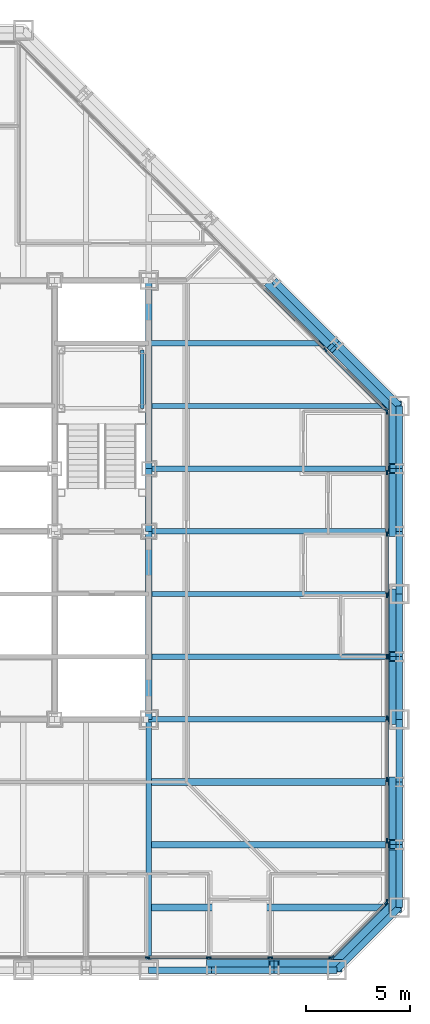
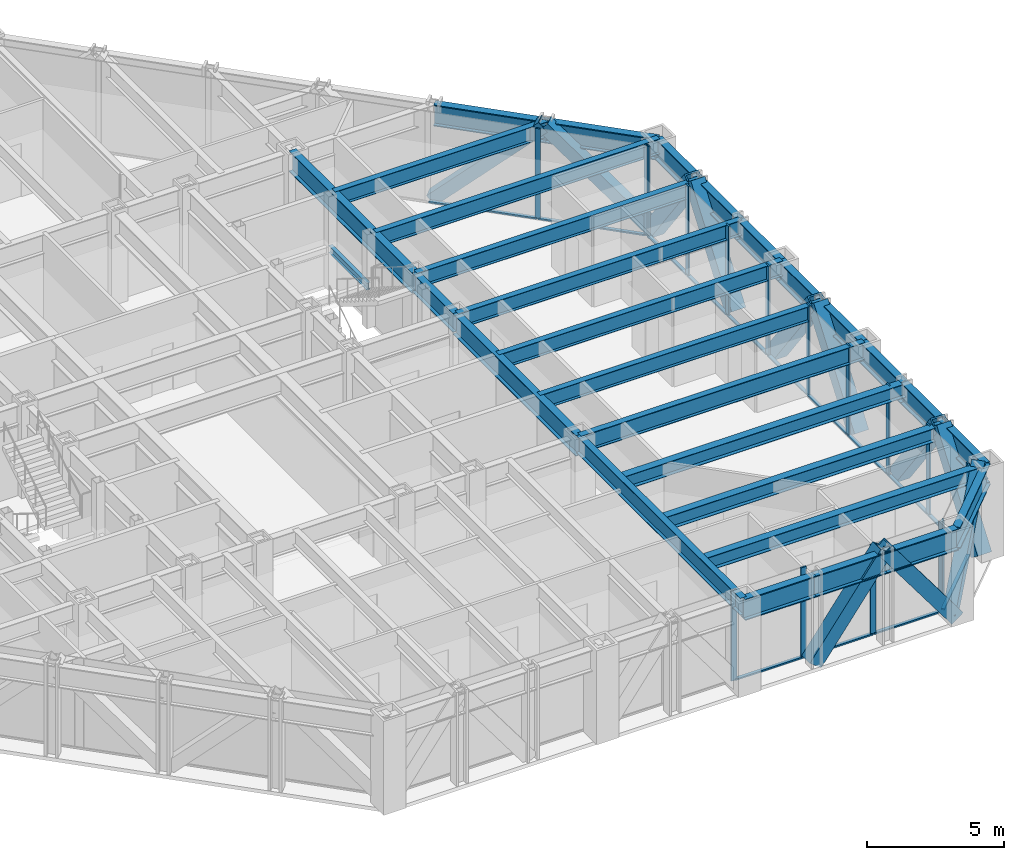
# One storey, part 6 of 17: 42 members, 29 beams, 4 elements without a shape of their own.
"""IFC4 building model written with IfcOpenShell, lengths in metres."""

from ifc_helpers import new_model, si_unit, direction, frame, origin, origin_2d, place, context, subcontext, project, spatial, rectangle, hollow_rectangle, i_section, extrude, material, layer, layer_set, material_profile, profile_set, type_object, element, aggregate, save


model = new_model("IFC4")

# Units and contexts
model_context = context("Model", 3, precision=1e-05, world=origin(), true_north=direction((0.0, 1.0)))
body_context = subcontext(model_context, "Body", "Model", "MODEL_VIEW")
ifc_project = project(units=[si_unit("LENGTHUNIT", "METRE"), si_unit("AREAUNIT", "SQUARE_METRE"), si_unit("VOLUMEUNIT", "CUBIC_METRE"), si_unit("PLANEANGLEUNIT", "RADIAN"), si_unit("MASSUNIT", "GRAM", prefix="KILO")], contexts=[model_context])

# Site, building, storey
site_placement = place(None, origin())
site = spatial("IfcSite", under=ifc_project, at=site_placement, CompositionType="ELEMENT")
building_placement = place(site_placement, origin())
building = spatial("IfcBuilding", under=site, at=building_placement, Name="Chuquiago Exchange Tower", CompositionType="ELEMENT")
storey_placement = place(building_placement, frame((0.0, 0.0, 132.0)))
storey = spatial("IfcBuildingStorey", under=building, at=storey_placement, Name="L28", CompositionType="ELEMENT", Elevation=132.0)

# Beams
ifc_material_1 = material(Name="Steel ASTM A992", Category="steel")
ifc_material_profile_1 = material_profile(ifc_material_1, i_section(OverallWidth=0.25390625, OverallDepth=0.683349609375, WebThickness=0.012451171875, FlangeThickness=0.018798828125, at=origin_2d()), Name="W27X94")
ifc_profile_set_1 = profile_set([ifc_material_profile_1], Name="Steel ASTM A992")
beam_type_1 = type_object("IfcBeamType", Name="B1 W27X94", PredefinedType="BEAM", material=ifc_profile_set_1)
for number, where, z_axis, x_axis, name in (
    (1, (33.0, 15.0, 3.698486328125), (1.0, 0.0, 0.0), (0.0, 1.0, 0.0), "FB-L29-infill-33_15-45_15-0"),
    (2, (33.0, 18.0, 3.698486328125), (1.0, 0.0, 0.0), (0.0, 1.0, 0.0), "FB-L29-infill-33_18-45_18-0"),
    (3, (33.0, 21.0, 3.698486328125), (1.0, 0.0, 0.0), (0.0, 1.0, 0.0), "FB-L29-infill-33_21-45_21-0"),
    (4, (33.0, 24.0, 3.698486328125), (1.0, 0.0, 0.0), (0.0, 1.0, 0.0), "FB-L29-infill-33_24-45_24-0"),
    (5, (33.0, 27.0, 3.698486328125), (1.0, 0.0, 0.0), (0.0, 1.0, 0.0), "FB-L29-infill-33_27-45_27-0"),
):
    element("IfcBeam", number, at=place(storey_placement, frame(where, z_axis=z_axis, x_axis=x_axis)), inside=storey, type_object=beam_type_1, Name=name, PredefinedType="BEAM", context=body_context, shape_type="SweptSolid", body=[
        extrude(i_section(OverallWidth=0.25390625, OverallDepth=0.683349609375, WebThickness=0.012451171875, FlangeThickness=0.018798828125, at=origin_2d()), origin(), (0.0, 0.0, 1.0), 12.0),
    ])
beam_1_placement = place(storey_placement, frame((33.0, 30.0, 3.698486328125), z_axis=(1.0, 0.0, 0.0), x_axis=(0.0, 1.0, 0.0)))
element("IfcBeam", 6, at=beam_1_placement, inside=storey, type_object=beam_type_1, Name="FB-L29-infill-33_30-42_30-0", PredefinedType="BEAM", context=body_context, shape_type="SweptSolid", body=[
    extrude(i_section(OverallWidth=0.25390625, OverallDepth=0.683349609375, WebThickness=0.012451171875, FlangeThickness=0.018798828125, at=origin_2d()), origin(), (0.0, 0.0, 1.0), 9.0),
])
ifc_material_2 = material(Name="Steel ASTM A992", Category="steel")
ifc_material_profile_2 = material_profile(ifc_material_2, i_section(OverallWidth=0.307373046875, OverallDepth=0.927001953125, WebThickness=0.01953125, FlangeThickness=0.031982421875, at=origin_2d()), Name="W36X194")
ifc_profile_set_2 = profile_set([ifc_material_profile_2], Name="Steel ASTM A992")
beam_type_2 = type_object("IfcBeamType", Name="B10 W36X194", PredefinedType="BEAM", material=ifc_profile_set_2)
for number, where, z_axis, x_axis, name in (
    (7, (33.0, 12.0, 3.576416015625), (0.0, 1.0, 0.0), (-1.0, 0.0, 0.0), "CB-L29-33_12-33_21"),
    (8, (33.0, 24.0, 3.576416015625), (0.0, 1.0, 0.0), (-1.0, 0.0, 0.0), "CB-L29-33_24-33_33"),
):
    element("IfcBeam", number, at=place(storey_placement, frame(where, z_axis=z_axis, x_axis=x_axis)), inside=storey, type_object=beam_type_2, Name=name, PredefinedType="BEAM", context=body_context, shape_type="SweptSolid", body=[
        extrude(i_section(OverallWidth=0.307373046875, OverallDepth=0.927001953125, WebThickness=0.01953125, FlangeThickness=0.031982421875, at=origin_2d()), origin(), (0.0, 0.0, 1.0), 9.0),
    ])
ifc_material_3 = material(Name="Steel ASTM A992", Category="steel")
ifc_material_profile_3 = material_profile(ifc_material_3, i_section(OverallWidth=0.3251953125, OverallDepth=0.612060546875, WebThickness=0.0126953125, FlangeThickness=0.01904296875, at=origin_2d()), Name="W24X104")
ifc_profile_set_3 = profile_set([ifc_material_profile_3], Name="Steel ASTM A992")
beam_type_3 = type_object("IfcBeamType", Name="B2 W24X104", PredefinedType="BEAM", material=ifc_profile_set_3)
for number, where, z_axis, x_axis, name in (
    (9, (33.0, 3.0, 3.73388671875), (1.0, 0.0, 0.0), (0.0, 1.0, 0.0), "FB-L29-corner-33_3-45_3-0"),
    (10, (33.0, 6.0, 3.73388671875), (1.0, 0.0, 0.0), (0.0, 1.0, 0.0), "FB-L29-corner-33_6-45_6-0"),
    (11, (33.0, 9.0, 3.73388671875), (1.0, 0.0, 0.0), (0.0, 1.0, 0.0), "FB-L29-corner-33_9-45_9-0"),
):
    element("IfcBeam", number, at=place(storey_placement, frame(where, z_axis=z_axis, x_axis=x_axis)), inside=storey, type_object=beam_type_3, Name=name, PredefinedType="BEAM", context=body_context, shape_type="SweptSolid", body=[
        extrude(i_section(OverallWidth=0.3251953125, OverallDepth=0.612060546875, WebThickness=0.0126953125, FlangeThickness=0.01904296875, at=origin_2d()), origin(), (0.0, 0.0, 1.0), 12.0),
    ])
ifc_material_4 = material(Name="Steel ASTM A992", Category="steel")
ifc_material_profile_4 = material_profile(ifc_material_4, i_section(OverallWidth=0.2919921875, OverallDepth=0.8583984375, WebThickness=0.01708984375, FlangeThickness=0.031005859375, at=origin_2d()), Name="W33X169")
ifc_profile_set_4 = profile_set([ifc_material_profile_4], Name="Steel ASTM A992")
beam_type_4 = type_object("IfcBeamType", Name="B3 W33X169", PredefinedType="BEAM", material=ifc_profile_set_4)
beam_2_placement = place(storey_placement, frame((33.0, 21.0, 3.610595703125), z_axis=(0.0, 1.0, 0.0), x_axis=(-1.0, 0.0, 0.0)))
element("IfcBeam", 12, at=beam_2_placement, inside=storey, type_object=beam_type_4, Name="CB-L29-33_21-33_24", PredefinedType="BEAM", context=body_context, shape_type="SweptSolid", body=[
    extrude(i_section(OverallWidth=0.2919921875, OverallDepth=0.8583984375, WebThickness=0.01708984375, FlangeThickness=0.031005859375, at=origin_2d()), origin(), (0.0, 0.0, 1.0), 3.0),
])

# Curtain wall, members
ifc_material_5 = material(Name="Aluminium curtain wall system", Category="aluminium")
ifc_layer_1 = layer(ifc_material_5, 0.22509765625)
ifc_layer_set_1 = layer_set([ifc_layer_1], Name="CW2 office curtain wall")
curtain_wall_type_1 = type_object("IfcCurtainWallType", Name="CW2 office curtain wall", PredefinedType="NOTDEFINED", material=ifc_layer_set_1)
curtain_wall_1_placement = place(storey_placement, origin())
curtain_wall_1 = element("IfcCurtainWall", 13, at=curtain_wall_1_placement, inside=storey, type_object=curtain_wall_type_1, Name="CW2 curtain wall L28", PredefinedType="NOTDEFINED")
ifc_material_6 = material(Name="Aluminium mullion, pale anodised", Category="aluminium")
ifc_material_profile_5 = material_profile(ifc_material_6, rectangle(XDim=0.06494140625, YDim=0.22509765625, at=origin_2d()), Name="AL 65x225")
ifc_profile_set_5 = profile_set([ifc_material_profile_5], Name="Aluminium mullion, pale anodised")
member_type_1 = type_object("IfcMemberType", Name="CW2-M mullion 65x225", PredefinedType="MULLION", material=ifc_profile_set_5)
member_1_placement = place(storey_placement, frame((32.93798828125, 0.60009765625, 0.0), z_axis=(0.0, 0.0, 1.0), x_axis=(0.0, 1.0, 0.0)))
member_1 = element("IfcMember", 14, at=member_1_placement, type_object=member_type_1, Name="CW2 mullion 6", PredefinedType="MULLION", context=body_context, shape_type="SweptSolid", body=[
    extrude(rectangle(XDim=0.06494140625, YDim=0.22509765625, at=origin_2d()), origin(), (0.0, 0.0, 1.0), 4.0400390625),
])
member_2_placement = place(storey_placement, frame((35.875732421875, 0.60009765625, 0.0), z_axis=(0.0, 0.0, 1.0), x_axis=(0.0, 1.0, 0.0)))
member_2 = element("IfcMember", 15, at=member_2_placement, type_object=member_type_1, Name="CW2 mullion 7", PredefinedType="MULLION", context=body_context, shape_type="SweptSolid", body=[
    extrude(rectangle(XDim=0.06494140625, YDim=0.22509765625, at=origin_2d()), origin(), (0.0, 0.0, 1.0), 4.0400390625),
])
member_3_placement = place(storey_placement, frame((38.813720703125, 0.60009765625, 0.0), z_axis=(0.0, 0.0, 1.0), x_axis=(0.0, 1.0, 0.0)))
member_3 = element("IfcMember", 16, at=member_3_placement, type_object=member_type_1, Name="CW2 mullion 8", PredefinedType="MULLION", context=body_context, shape_type="SweptSolid", body=[
    extrude(rectangle(XDim=0.06494140625, YDim=0.22509765625, at=origin_2d()), origin(), (0.0, 0.0, 1.0), 4.0400390625),
])
member_4_placement = place(storey_placement, frame((41.718994140625, 0.60009765625, 0.0), z_axis=(0.0, 0.0, 1.0), x_axis=(0.0, 1.0, 0.0)))
member_4 = element("IfcMember", 17, at=member_4_placement, type_object=member_type_1, Name="CW2 mullion 9", PredefinedType="MULLION", context=body_context, shape_type="SweptSolid", body=[
    extrude(rectangle(XDim=0.06494140625, YDim=0.22509765625, at=origin_2d()), origin(), (0.0, 0.0, 1.0), 4.0400390625),
])

curtain_wall_2_placement = place(storey_placement, origin())
curtain_wall_2 = element("IfcCurtainWall", 18, at=curtain_wall_2_placement, inside=storey, type_object=curtain_wall_type_1, Name="CW2 curtain wall L28", PredefinedType="NOTDEFINED")
member_5_placement = place(storey_placement, frame((44.39990234375, 3.281005859375, 0.0), z_axis=(0.0, 0.0, 1.0), x_axis=(-1.0, 0.0, 0.0)))
member_5 = element("IfcMember", 19, at=member_5_placement, type_object=member_type_1, Name="CW2 mullion 1", PredefinedType="MULLION", context=body_context, shape_type="SweptSolid", body=[
    extrude(rectangle(XDim=0.06494140625, YDim=0.22509765625, at=origin_2d()), origin(), (0.0, 0.0, 1.0), 4.0400390625),
])
member_6_placement = place(storey_placement, frame((44.39990234375, 6.186279296875, 0.0), z_axis=(0.0, 0.0, 1.0), x_axis=(-1.0, 0.0, 0.0)))
member_6 = element("IfcMember", 20, at=member_6_placement, type_object=member_type_1, Name="CW2 mullion 2", PredefinedType="MULLION", context=body_context, shape_type="SweptSolid", body=[
    extrude(rectangle(XDim=0.06494140625, YDim=0.22509765625, at=origin_2d()), origin(), (0.0, 0.0, 1.0), 4.0400390625),
])
member_7_placement = place(storey_placement, frame((44.39990234375, 9.124267578125, 0.0), z_axis=(0.0, 0.0, 1.0), x_axis=(-1.0, 0.0, 0.0)))
member_7 = element("IfcMember", 21, at=member_7_placement, type_object=member_type_1, Name="CW2 mullion 3", PredefinedType="MULLION", context=body_context, shape_type="SweptSolid", body=[
    extrude(rectangle(XDim=0.06494140625, YDim=0.22509765625, at=origin_2d()), origin(), (0.0, 0.0, 1.0), 4.0400390625),
])
member_8_placement = place(storey_placement, frame((44.39990234375, 12.06201171875, 0.0), z_axis=(0.0, 0.0, 1.0), x_axis=(-1.0, 0.0, 0.0)))
member_8 = element("IfcMember", 22, at=member_8_placement, type_object=member_type_1, Name="CW2 mullion 4", PredefinedType="MULLION", context=body_context, shape_type="SweptSolid", body=[
    extrude(rectangle(XDim=0.06494140625, YDim=0.22509765625, at=origin_2d()), origin(), (0.0, 0.0, 1.0), 4.0400390625),
])
member_9_placement = place(storey_placement, frame((44.39990234375, 15.0, 0.0), z_axis=(0.0, 0.0, 1.0), x_axis=(-1.0, 0.0, 0.0)))
member_9 = element("IfcMember", 23, at=member_9_placement, type_object=member_type_1, Name="CW2 mullion 5", PredefinedType="MULLION", context=body_context, shape_type="SweptSolid", body=[
    extrude(rectangle(XDim=0.06494140625, YDim=0.22509765625, at=origin_2d()), origin(), (0.0, 0.0, 1.0), 4.0400390625),
])
member_10_placement = place(storey_placement, frame((44.39990234375, 17.93798828125, 0.0), z_axis=(0.0, 0.0, 1.0), x_axis=(-1.0, 0.0, 0.0)))
member_10 = element("IfcMember", 24, at=member_10_placement, type_object=member_type_1, Name="CW2 mullion 6", PredefinedType="MULLION", context=body_context, shape_type="SweptSolid", body=[
    extrude(rectangle(XDim=0.06494140625, YDim=0.22509765625, at=origin_2d()), origin(), (0.0, 0.0, 1.0), 4.0400390625),
])
member_11_placement = place(storey_placement, frame((44.39990234375, 20.875732421875, 0.0), z_axis=(0.0, 0.0, 1.0), x_axis=(-1.0, 0.0, 0.0)))
member_11 = element("IfcMember", 25, at=member_11_placement, type_object=member_type_1, Name="CW2 mullion 7", PredefinedType="MULLION", context=body_context, shape_type="SweptSolid", body=[
    extrude(rectangle(XDim=0.06494140625, YDim=0.22509765625, at=origin_2d()), origin(), (0.0, 0.0, 1.0), 4.0400390625),
])
member_12_placement = place(storey_placement, frame((44.39990234375, 23.813720703125, 0.0), z_axis=(0.0, 0.0, 1.0), x_axis=(-1.0, 0.0, 0.0)))
member_12 = element("IfcMember", 26, at=member_12_placement, type_object=member_type_1, Name="CW2 mullion 8", PredefinedType="MULLION", context=body_context, shape_type="SweptSolid", body=[
    extrude(rectangle(XDim=0.06494140625, YDim=0.22509765625, at=origin_2d()), origin(), (0.0, 0.0, 1.0), 4.0400390625),
])
member_13_placement = place(storey_placement, frame((44.39990234375, 26.718994140625, 0.0), z_axis=(0.0, 0.0, 1.0), x_axis=(-1.0, 0.0, 0.0)))
member_13 = element("IfcMember", 27, at=member_13_placement, type_object=member_type_1, Name="CW2 mullion 9", PredefinedType="MULLION", context=body_context, shape_type="SweptSolid", body=[
    extrude(rectangle(XDim=0.06494140625, YDim=0.22509765625, at=origin_2d()), origin(), (0.0, 0.0, 1.0), 4.0400390625),
])

# Member
ifc_material_7 = material(Name="Aluminium transom, pale anodised", Category="aluminium")
ifc_material_profile_6 = material_profile(ifc_material_7, rectangle(XDim=0.139892578125, YDim=0.06494140625, at=origin_2d()), Name="AL 140x65")
ifc_profile_set_6 = profile_set([ifc_material_profile_6], Name="Aluminium transom, pale anodised")
member_type_2 = type_object("IfcMemberType", Name="CW2-T transom 65x140", PredefinedType="MULLION", material=ifc_profile_set_6)
member_14_placement = place(storey_placement, frame((32.970458984375, 0.60009765625, 0.032470703125), z_axis=(1.0, 0.0, 0.0), x_axis=(0.0, 1.0, 0.0)))
member_14 = element("IfcMember", 28, at=member_14_placement, type_object=member_type_2, Name="CW2 transom 6.1", PredefinedType="MULLION", context=body_context, shape_type="SweptSolid", body=[
    extrude(rectangle(XDim=0.139892578125, YDim=0.06494140625, at=origin_2d()), origin(), (0.0, 0.0, 1.0), 2.872802734375),
])

member_15_placement = place(storey_placement, frame((35.908203125, 0.60009765625, 0.032470703125), z_axis=(1.0, 0.0, 0.0), x_axis=(0.0, 1.0, 0.0)))
member_15 = element("IfcMember", 29, at=member_15_placement, type_object=member_type_2, Name="CW2 transom 7.1", PredefinedType="MULLION", context=body_context, shape_type="SweptSolid", body=[
    extrude(rectangle(XDim=0.139892578125, YDim=0.06494140625, at=origin_2d()), origin(), (0.0, 0.0, 1.0), 2.872802734375),
])

member_16_placement = place(storey_placement, frame((38.84619140625, 0.60009765625, 0.032470703125), z_axis=(1.0, 0.0, 0.0), x_axis=(0.0, 1.0, 0.0)))
member_16 = element("IfcMember", 30, at=member_16_placement, type_object=member_type_2, Name="CW2 transom 8.1", PredefinedType="MULLION", context=body_context, shape_type="SweptSolid", body=[
    extrude(rectangle(XDim=0.139892578125, YDim=0.06494140625, at=origin_2d()), origin(), (0.0, 0.0, 1.0), 2.84033203125),
])

aggregate(curtain_wall_1, [member_1, member_2, member_3, member_4, member_14, member_15, member_16])

member_17_placement = place(storey_placement, frame((44.39990234375, 3.3134765625, 0.032470703125), z_axis=(0.0, 1.0, 0.0), x_axis=(-1.0, 0.0, 0.0)))
member_17 = element("IfcMember", 31, at=member_17_placement, type_object=member_type_2, Name="CW2 transom 1.1", PredefinedType="MULLION", context=body_context, shape_type="SweptSolid", body=[
    extrude(rectangle(XDim=0.139892578125, YDim=0.06494140625, at=origin_2d()), origin(), (0.0, 0.0, 1.0), 2.84033203125),
])

member_18_placement = place(storey_placement, frame((44.39990234375, 6.218994140625, 0.032470703125), z_axis=(0.0, 1.0, 0.0), x_axis=(-1.0, 0.0, 0.0)))
member_18 = element("IfcMember", 32, at=member_18_placement, type_object=member_type_2, Name="CW2 transom 2.1", PredefinedType="MULLION", context=body_context, shape_type="SweptSolid", body=[
    extrude(rectangle(XDim=0.139892578125, YDim=0.06494140625, at=origin_2d()), origin(), (0.0, 0.0, 1.0), 2.872802734375),
])

member_19_placement = place(storey_placement, frame((44.39990234375, 9.15673828125, 0.032470703125), z_axis=(0.0, 1.0, 0.0), x_axis=(-1.0, 0.0, 0.0)))
member_19 = element("IfcMember", 33, at=member_19_placement, type_object=member_type_2, Name="CW2 transom 3.1", PredefinedType="MULLION", context=body_context, shape_type="SweptSolid", body=[
    extrude(rectangle(XDim=0.139892578125, YDim=0.06494140625, at=origin_2d()), origin(), (0.0, 0.0, 1.0), 2.872802734375),
])

member_20_placement = place(storey_placement, frame((44.39990234375, 12.0947265625, 0.032470703125), z_axis=(0.0, 1.0, 0.0), x_axis=(-1.0, 0.0, 0.0)))
member_20 = element("IfcMember", 34, at=member_20_placement, type_object=member_type_2, Name="CW2 transom 4.1", PredefinedType="MULLION", context=body_context, shape_type="SweptSolid", body=[
    extrude(rectangle(XDim=0.139892578125, YDim=0.06494140625, at=origin_2d()), origin(), (0.0, 0.0, 1.0), 2.872802734375),
])

member_21_placement = place(storey_placement, frame((44.39990234375, 15.032470703125, 0.032470703125), z_axis=(0.0, 1.0, 0.0), x_axis=(-1.0, 0.0, 0.0)))
member_21 = element("IfcMember", 35, at=member_21_placement, type_object=member_type_2, Name="CW2 transom 5.1", PredefinedType="MULLION", context=body_context, shape_type="SweptSolid", body=[
    extrude(rectangle(XDim=0.139892578125, YDim=0.06494140625, at=origin_2d()), origin(), (0.0, 0.0, 1.0), 2.872802734375),
])

member_22_placement = place(storey_placement, frame((44.39990234375, 17.970458984375, 0.032470703125), z_axis=(0.0, 1.0, 0.0), x_axis=(-1.0, 0.0, 0.0)))
member_22 = element("IfcMember", 36, at=member_22_placement, type_object=member_type_2, Name="CW2 transom 6.1", PredefinedType="MULLION", context=body_context, shape_type="SweptSolid", body=[
    extrude(rectangle(XDim=0.139892578125, YDim=0.06494140625, at=origin_2d()), origin(), (0.0, 0.0, 1.0), 2.872802734375),
])

member_23_placement = place(storey_placement, frame((44.39990234375, 20.908203125, 0.032470703125), z_axis=(0.0, 1.0, 0.0), x_axis=(-1.0, 0.0, 0.0)))
member_23 = element("IfcMember", 37, at=member_23_placement, type_object=member_type_2, Name="CW2 transom 7.1", PredefinedType="MULLION", context=body_context, shape_type="SweptSolid", body=[
    extrude(rectangle(XDim=0.139892578125, YDim=0.06494140625, at=origin_2d()), origin(), (0.0, 0.0, 1.0), 2.872802734375),
])

member_24_placement = place(storey_placement, frame((44.39990234375, 23.84619140625, 0.032470703125), z_axis=(0.0, 1.0, 0.0), x_axis=(-1.0, 0.0, 0.0)))
member_24 = element("IfcMember", 38, at=member_24_placement, type_object=member_type_2, Name="CW2 transom 8.1", PredefinedType="MULLION", context=body_context, shape_type="SweptSolid", body=[
    extrude(rectangle(XDim=0.139892578125, YDim=0.06494140625, at=origin_2d()), origin(), (0.0, 0.0, 1.0), 2.84033203125),
])

aggregate(curtain_wall_2, [member_5, member_6, member_7, member_8, member_9, member_10, member_11, member_12, member_13, member_17, member_18, member_19, member_20, member_21, member_22, member_23, member_24])

# Curtain wall, members
ifc_material_8 = material(Name="Aluminium curtain wall system", Category="aluminium")
ifc_layer_2 = layer(ifc_material_8, 0.199951171875)
ifc_layer_set_2 = layer_set([ifc_layer_2], Name="CW3 facet curtain wall")
curtain_wall_type_2 = type_object("IfcCurtainWallType", Name="CW3 facet curtain wall", PredefinedType="NOTDEFINED", material=ifc_layer_set_2)
curtain_wall_3_placement = place(storey_placement, origin())
curtain_wall_3 = element("IfcCurtainWall", 39, at=curtain_wall_3_placement, inside=storey, type_object=curtain_wall_type_2, Name="CW3 curtain wall L28", PredefinedType="NOTDEFINED")
ifc_material_9 = material(Name="Aluminium mullion, pale anodised", Category="aluminium")
ifc_material_profile_7 = material_profile(ifc_material_9, rectangle(XDim=0.06494140625, YDim=0.199951171875, at=origin_2d()), Name="AL 65x200")
ifc_profile_set_7 = profile_set([ifc_material_profile_7], Name="Aluminium mullion, pale anodised")
member_type_3 = type_object("IfcMemberType", Name="CW3-M mullion 65x200", PredefinedType="MULLION", material=ifc_profile_set_7)
member_25_placement = place(storey_placement, frame((41.7744140625, 0.623046875, 0.0), z_axis=(0.0, 0.0, 1.0), x_axis=(-0.707106781187, 0.707106781187, 0.0)))
member_25 = element("IfcMember", 40, at=member_25_placement, type_object=member_type_3, Name="CW3 mullion 1", PredefinedType="MULLION", context=body_context, shape_type="SweptSolid", body=[
    extrude(rectangle(XDim=0.06494140625, YDim=0.199951171875, at=origin_2d()), origin(), (0.0, 0.0, 1.0), 4.0400390625),
])
member_26_placement = place(storey_placement, frame((44.376953125, 3.2255859375, 0.0), z_axis=(0.0, 0.0, 1.0), x_axis=(-0.707106781187, 0.707106781187, 0.0)))
member_26 = element("IfcMember", 41, at=member_26_placement, type_object=member_type_3, Name="CW3 mullion 2", PredefinedType="MULLION", context=body_context, shape_type="SweptSolid", body=[
    extrude(rectangle(XDim=0.06494140625, YDim=0.199951171875, at=origin_2d()), origin(), (0.0, 0.0, 1.0), 4.0400390625),
])

curtain_wall_4_placement = place(storey_placement, origin())
curtain_wall_4 = element("IfcCurtainWall", 42, at=curtain_wall_4_placement, inside=storey, type_object=curtain_wall_type_2, Name="CW3 curtain wall L28", PredefinedType="NOTDEFINED")
member_27_placement = place(storey_placement, frame((44.376953125, 26.7744140625, 0.0), z_axis=(0.0, 0.0, 1.0), x_axis=(-0.707106781187, -0.707106781187, 0.0)))
member_27 = element("IfcMember", 43, at=member_27_placement, type_object=member_type_3, Name="CW3 mullion 1", PredefinedType="MULLION", context=body_context, shape_type="SweptSolid", body=[
    extrude(rectangle(XDim=0.06494140625, YDim=0.199951171875, at=origin_2d()), origin(), (0.0, 0.0, 1.0), 4.0400390625),
])
member_28_placement = place(storey_placement, frame((41.45849609375, 29.69287109375, 0.0), z_axis=(0.0, 0.0, 1.0), x_axis=(-0.707106781187, -0.707106781187, 0.0)))
member_28 = element("IfcMember", 44, at=member_28_placement, type_object=member_type_3, Name="CW3 mullion 2", PredefinedType="MULLION", context=body_context, shape_type="SweptSolid", body=[
    extrude(rectangle(XDim=0.06494140625, YDim=0.199951171875, at=origin_2d()), origin(), (0.0, 0.0, 1.0), 4.0400390625),
])

# Member
ifc_material_10 = material(Name="Aluminium transom, pale anodised", Category="aluminium")
ifc_material_profile_8 = material_profile(ifc_material_10, rectangle(XDim=0.139892578125, YDim=0.06494140625, at=origin_2d()), Name="AL 140x65")
ifc_profile_set_8 = profile_set([ifc_material_profile_8], Name="Aluminium transom, pale anodised")
member_type_4 = type_object("IfcMemberType", Name="CW3-T transom 65x140", PredefinedType="MULLION", material=ifc_profile_set_8)
member_29_placement = place(storey_placement, frame((41.79736328125, 0.64599609375, 0.032470703125), z_axis=(0.707106781187, 0.707106781187, 0.0), x_axis=(-0.707106781187, 0.707106781187, 0.0)))
member_29 = element("IfcMember", 45, at=member_29_placement, type_object=member_type_4, Name="CW3 transom 1.1", PredefinedType="MULLION", context=body_context, shape_type="SweptSolid", body=[
    extrude(rectangle(XDim=0.139892578125, YDim=0.06494140625, at=origin_2d()), origin(), (0.0, 0.0, 1.0), 3.61572265625),
])

aggregate(curtain_wall_3, [member_25, member_26, member_29])

member_30_placement = place(storey_placement, frame((44.35400390625, 26.79736328125, 0.032470703125), z_axis=(-0.707106781187, 0.707106781187, 0.0), x_axis=(-0.707106781187, -0.707106781187, 0.0)))
member_30 = element("IfcMember", 46, at=member_30_placement, type_object=member_type_4, Name="CW3 transom 1.1", PredefinedType="MULLION", context=body_context, shape_type="SweptSolid", body=[
    extrude(rectangle(XDim=0.139892578125, YDim=0.06494140625, at=origin_2d()), origin(), (0.0, 0.0, 1.0), 4.0625),
])

member_31_placement = place(storey_placement, frame((41.435546875, 29.7158203125, 0.032470703125), z_axis=(-0.707106781187, 0.707106781187, 0.0), x_axis=(-0.707106781187, -0.707106781187, 0.0)))
member_31 = element("IfcMember", 47, at=member_31_placement, type_object=member_type_4, Name="CW3 transom 2.1", PredefinedType="MULLION", context=body_context, shape_type="SweptSolid", body=[
    extrude(rectangle(XDim=0.139892578125, YDim=0.06494140625, at=origin_2d()), origin(), (0.0, 0.0, 1.0), 4.094970703125),
])

aggregate(curtain_wall_4, [member_27, member_28, member_30, member_31])

# Beams
ifc_material_11 = material(Name="Steel ASTM A992", Category="steel")
ifc_material_profile_9 = material_profile(ifc_material_11, i_section(OverallWidth=0.2666015625, OverallDepth=0.76953125, WebThickness=0.015625, FlangeThickness=0.025390625, at=origin_2d()), Name="W30X132")
ifc_profile_set_9 = profile_set([ifc_material_profile_9], Name="Steel ASTM A992")
beam_type_5 = type_object("IfcBeamType", Name="G1 W30X132", PredefinedType="BEAM", material=ifc_profile_set_9)
for number, where, z_axis, x_axis, name in (
    (48, (33.0, 12.0, 3.6552734375), (0.0, -1.0, 0.0), (1.0, 0.0, 0.0), "FB-L29-girder-33_12-33_-0-0"),
    (49, (33.0, 12.0, 3.6552734375), (1.0, 0.0, 0.0), (0.0, 1.0, 0.0), "FB-L29-girder-33_12-45_12-0"),
):
    element("IfcBeam", number, at=place(storey_placement, frame(where, z_axis=z_axis, x_axis=x_axis)), inside=storey, type_object=beam_type_5, Name=name, PredefinedType="BEAM", context=body_context, shape_type="SweptSolid", body=[
        extrude(i_section(OverallWidth=0.2666015625, OverallDepth=0.76953125, WebThickness=0.015625, FlangeThickness=0.025390625, at=origin_2d()), origin(), (0.0, 0.0, 1.0), 12.0),
    ])

# Members
ifc_material_12 = material(Name="Steel ASTM A500 Grade C", Category="steel")
ifc_material_profile_10 = material_profile(ifc_material_12, hollow_rectangle(XDim=0.508056640625, YDim=0.508056640625, WallThickness=0.017822265625, at=origin_2d()), Name="HSS20X20X3/4")
ifc_profile_set_10 = profile_set([ifc_material_profile_10], Name="Steel ASTM A500 Grade C")
member_type_5 = type_object("IfcMemberType", Name="LB1 HSS20X20X3/4", PredefinedType="BRACE", material=ifc_profile_set_10)
for number, where, z_axis, x_axis, name in (
    (50, (41.822509765625, 0.177490234375, 0.0), (0.512077265487, 0.512077265487, 0.689604051861), (-0.707106781187, 0.707106781187, 0.0), "LB-L28-42_0-45_3"),
    (51, (44.822509765625, 26.822509765625, 0.0), (-0.512077265487, 0.512077265487, 0.689604051861), (-0.707106781187, -0.707106781187, 0.0), "LB-L28-45_27-42_30"),
    (52, (38.822509765625, 32.822509765625, 0.0), (0.512077265487, -0.512077265487, 0.689604051861), (0.707106781187, 0.707106781187, 0.0), "LB-L28-42_30-39_33"),
):
    element("IfcMember", number, at=place(storey_placement, frame(where, z_axis=z_axis, x_axis=x_axis)), inside=storey, type_object=member_type_5, Name=name, PredefinedType="BRACE", context=body_context, shape_type="SweptSolid", body=[
        extrude(hollow_rectangle(XDim=0.508056640625, YDim=0.508056640625, WallThickness=0.017822265625, at=origin_2d()), origin(), (0.0, 0.0, 1.0), 5.8583984375),
    ])

# Beam
ifc_material_13 = material(Name="Steel ASTM A992", Category="steel")
ifc_material_profile_11 = material_profile(ifc_material_13, i_section(OverallWidth=0.164794921875, OverallDepth=0.309814453125, WebThickness=0.005859375, FlangeThickness=0.009765625, at=origin_2d()), Name="W12X26")
ifc_profile_set_11 = profile_set([ifc_material_profile_11], Name="Steel ASTM A992")
beam_type_6 = type_object("IfcBeamType", Name="LS1 W12X26", PredefinedType="BEAM", material=ifc_profile_set_11)
beam_3_placement = place(storey_placement, frame((32.68994140625, 26.889892578125, 1.7451171875), z_axis=(0.0, 1.0, 0.0), x_axis=(-1.0, 0.0, 0.0)))
element("IfcBeam", 53, at=beam_3_placement, inside=storey, type_object=beam_type_6, Name="Stair ST2 L28 landing 1 stringer", PredefinedType="BEAM", context=body_context, shape_type="SweptSolid", body=[
    extrude(i_section(OverallWidth=0.164794921875, OverallDepth=0.309814453125, WebThickness=0.005859375, FlangeThickness=0.009765625, at=origin_2d()), origin(), (0.0, 0.0, 1.0), 2.800048828125),
])

# Members
ifc_material_14 = material(Name="Steel ASTM A572 Grade 50", Category="steel")
ifc_material_profile_12 = material_profile(ifc_material_14, hollow_rectangle(XDim=0.60009765625, YDim=0.60009765625, WallThickness=0.06005859375, at=origin_2d()), Name="BOX600X600X60")
ifc_profile_set_12 = profile_set([ifc_material_profile_12], Name="Steel ASTM A572 Grade 50")
member_type_6 = type_object("IfcMemberType", Name="MB2 BOX600X600X60", PredefinedType="BRACE", material=ifc_profile_set_12)
for number, where, z_axis, x_axis, name in (
    (54, (36.0, 0.205078125, 0.0), (0.596173923302, 0.0, 0.802855312728), (0.0, 1.0, 0.0), "Mega diagonal L28 S face"),
    (55, (42.0, 0.205078125, 0.0), (-0.596173923302, 0.0, 0.802855312728), (0.0, -1.0, 0.0), "Mega diagonal L28 S face"),
    (56, (44.794921875, 3.0, 0.0), (0.0, 0.596173923302, 0.802855312728), (-1.0, 0.0, 0.0), "Mega diagonal L28 E face"),
    (57, (44.794921875, 9.0, 0.0), (0.0, -0.596173923302, 0.802855312728), (1.0, 0.0, 0.0), "Mega diagonal L28 E face"),
    (58, (44.794921875, 12.0, 0.0), (0.0, 0.596173923302, 0.802855312728), (-1.0, 0.0, 0.0), "Mega diagonal L28 E face"),
    (59, (44.794921875, 18.0, 0.0), (0.0, -0.596173923302, 0.802855312728), (1.0, 0.0, 0.0), "Mega diagonal L28 E face"),
    (60, (44.794921875, 21.0, 0.0), (0.0, 0.596173923302, 0.802855312728), (-1.0, 0.0, 0.0), "Mega diagonal L28 E face"),
    (61, (44.794921875, 27.0, 0.0), (0.0, -0.596173923302, 0.802855312728), (1.0, 0.0, 0.0), "Mega diagonal L28 E face"),
):
    element("IfcMember", number, at=place(storey_placement, frame(where, z_axis=z_axis, x_axis=x_axis)), inside=storey, type_object=member_type_6, Name=name, PredefinedType="BRACE", context=body_context, shape_type="SweptSolid", body=[
        extrude(hollow_rectangle(XDim=0.60009765625, YDim=0.60009765625, WallThickness=0.06005859375, at=origin_2d()), origin(), (0.0, 0.0, 1.0), 5.031982421875),
    ])

# Beams
ifc_material_15 = material(Name="Steel ASTM A992", Category="steel")
ifc_material_profile_13 = material_profile(ifc_material_15, i_section(OverallWidth=0.309814453125, OverallDepth=0.949951171875, WebThickness=0.0244140625, FlangeThickness=0.0439453125, at=origin_2d()), Name="W36X256")
ifc_profile_set_13 = profile_set([ifc_material_profile_13], Name="Steel ASTM A992")
beam_type_7 = type_object("IfcBeamType", Name="SP2 W36X256", PredefinedType="SPANDREL", material=ifc_profile_set_13)
for number, where, z_axis, x_axis, name in (
    (62, (33.0, 0.0, 3.56494140625), (1.0, 0.0, 0.0), (0.0, 1.0, 0.0), "SPB-L29-33_0-36_0"),
    (63, (36.0, 0.0, 3.56494140625), (1.0, 0.0, 0.0), (0.0, 1.0, 0.0), "SPB-L29-36_0-39_0"),
    (64, (39.0, 0.0, 3.56494140625), (1.0, 0.0, 0.0), (0.0, 1.0, 0.0), "SPB-L29-39_0-42_0"),
):
    element("IfcBeam", number, at=place(storey_placement, frame(where, z_axis=z_axis, x_axis=x_axis)), inside=storey, type_object=beam_type_7, Name=name, PredefinedType="SPANDREL", context=body_context, shape_type="SweptSolid", body=[
        extrude(i_section(OverallWidth=0.309814453125, OverallDepth=0.949951171875, WebThickness=0.0244140625, FlangeThickness=0.0439453125, at=origin_2d()), origin(), (0.0, 0.0, 1.0), 3.0),
    ])
beam_4_placement = place(storey_placement, frame((42.0, 0.0, 3.56494140625), z_axis=(0.707106781187, 0.707106781187, 0.0), x_axis=(-0.707106781187, 0.707106781187, 0.0)))
element("IfcBeam", 65, at=beam_4_placement, inside=storey, type_object=beam_type_7, Name="SPB-L29-42_0-45_3", PredefinedType="SPANDREL", context=body_context, shape_type="SweptSolid", body=[
    extrude(i_section(OverallWidth=0.309814453125, OverallDepth=0.949951171875, WebThickness=0.0244140625, FlangeThickness=0.0439453125, at=origin_2d()), origin(), (0.0, 0.0, 1.0), 4.24267578125),
])
for number, where, z_axis, x_axis, name in (
    (66, (45.0, 3.0, 3.56494140625), (0.0, 1.0, 0.0), (-1.0, 0.0, 0.0), "SPB-L29-45_3-45_6"),
    (67, (45.0, 6.0, 3.56494140625), (0.0, 1.0, 0.0), (-1.0, 0.0, 0.0), "SPB-L29-45_6-45_9"),
    (68, (45.0, 9.0, 3.56494140625), (0.0, 1.0, 0.0), (-1.0, 0.0, 0.0), "SPB-L29-45_9-45_12"),
    (69, (45.0, 12.0, 3.56494140625), (0.0, 1.0, 0.0), (-1.0, 0.0, 0.0), "SPB-L29-45_12-45_15"),
    (70, (45.0, 15.0, 3.56494140625), (0.0, 1.0, 0.0), (-1.0, 0.0, 0.0), "SPB-L29-45_15-45_18"),
    (71, (45.0, 18.0, 3.56494140625), (0.0, 1.0, 0.0), (-1.0, 0.0, 0.0), "SPB-L29-45_18-45_21"),
    (72, (45.0, 21.0, 3.56494140625), (0.0, 1.0, 0.0), (-1.0, 0.0, 0.0), "SPB-L29-45_21-45_24"),
    (73, (45.0, 24.0, 3.56494140625), (0.0, 1.0, 0.0), (-1.0, 0.0, 0.0), "SPB-L29-45_24-45_27"),
):
    element("IfcBeam", number, at=place(storey_placement, frame(where, z_axis=z_axis, x_axis=x_axis)), inside=storey, type_object=beam_type_7, Name=name, PredefinedType="SPANDREL", context=body_context, shape_type="SweptSolid", body=[
        extrude(i_section(OverallWidth=0.309814453125, OverallDepth=0.949951171875, WebThickness=0.0244140625, FlangeThickness=0.0439453125, at=origin_2d()), origin(), (0.0, 0.0, 1.0), 3.0),
    ])
for number, where, z_axis, x_axis, name in (
    (74, (45.0, 27.0, 3.56494140625), (-0.707106781187, 0.707106781187, 0.0), (-0.707106781187, -0.707106781187, 0.0), "SPB-L29-45_27-42_30"),
    (75, (42.0, 30.0, 3.56494140625), (-0.707106781187, 0.707106781187, 0.0), (-0.707106781187, -0.707106781187, 0.0), "SPB-L29-42_30-39_33"),
):
    element("IfcBeam", number, at=place(storey_placement, frame(where, z_axis=z_axis, x_axis=x_axis)), inside=storey, type_object=beam_type_7, Name=name, PredefinedType="SPANDREL", context=body_context, shape_type="SweptSolid", body=[
        extrude(i_section(OverallWidth=0.309814453125, OverallDepth=0.949951171875, WebThickness=0.0244140625, FlangeThickness=0.0439453125, at=origin_2d()), origin(), (0.0, 0.0, 1.0), 4.24267578125),
    ])

save(model, "model.ifc")
